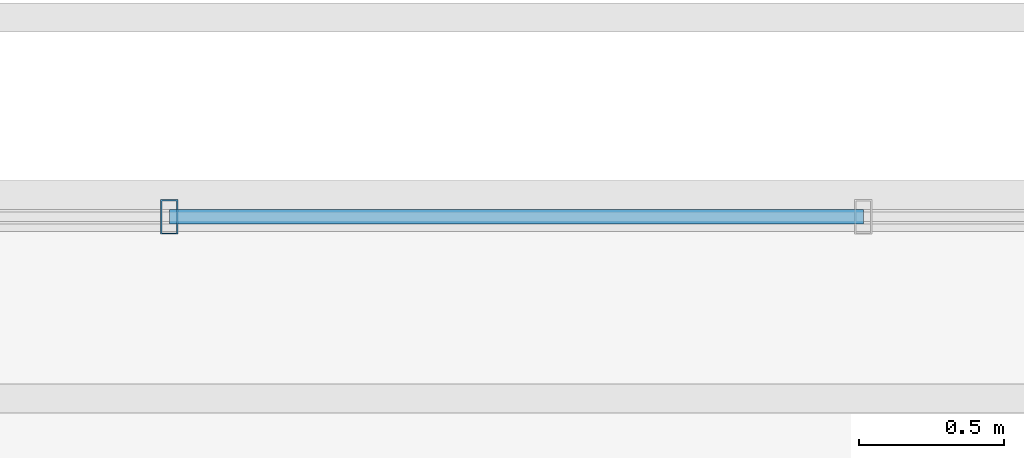
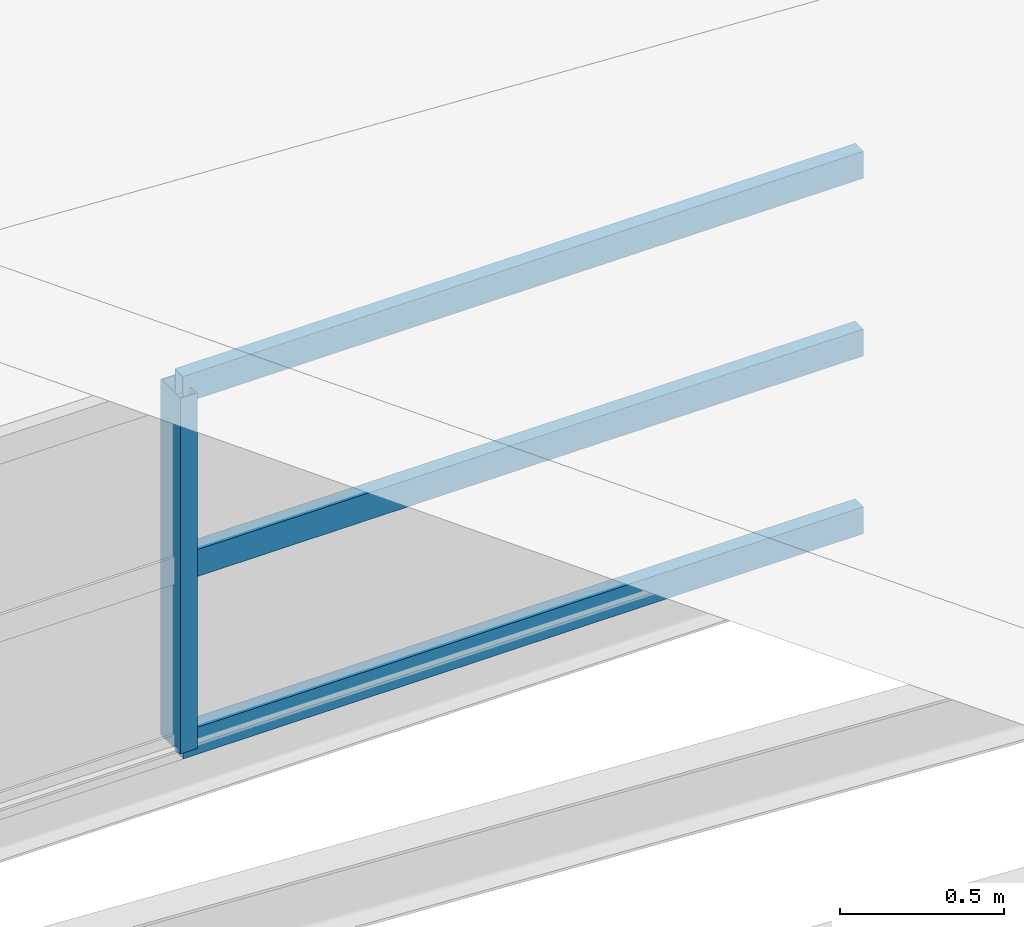
# One storey, part 116 of 141: 4 members, 1 element without a shape of its own.
"""IFC4 building model written with IfcOpenShell, lengths in metres."""

from ifc_helpers import new_model, si_unit, direction, frame, origin, origin_2d, place, context, subcontext, project, spatial, hollow_rectangle, extrude, material, material_profile, profile_set, type_object, element, aggregate, save


model = new_model("IFC4")

# Units and contexts
model_context = context("Model", 3, precision=1e-05, world=origin(), true_north=direction((0.0, 1.0)))
body_context = subcontext(model_context, "Body", "Model", "MODEL_VIEW")
ifc_project = project(units=[si_unit("LENGTHUNIT", "METRE"), si_unit("AREAUNIT", "SQUARE_METRE"), si_unit("VOLUMEUNIT", "CUBIC_METRE"), si_unit("PLANEANGLEUNIT", "RADIAN"), si_unit("MASSUNIT", "GRAM", prefix="KILO")], contexts=[model_context])

# Site, building, storey
site_placement = place(None, origin())
site = spatial("IfcSite", under=ifc_project, at=site_placement, CompositionType="ELEMENT")
building_placement = place(site_placement, origin())
building = spatial("IfcBuilding", under=site, at=building_placement, Name="Sundkrona Museum", CompositionType="ELEMENT")
storey_placement = place(building_placement, frame((0.0, 0.0, 34.0)))
storey = spatial("IfcBuildingStorey", under=building, at=storey_placement, Name="RF", CompositionType="ELEMENT", Elevation=34.0)

# Curtain wall, members
ifc_material_1 = material(Name="Unitised Aluminium-Steel and Ceramic-Clad Curtain Walling", Category="steel")
curtain_wall_type = type_object("IfcCurtainWallType", Name="CW-SW-240x13", PredefinedType="NOTDEFINED", material=ifc_material_1)
curtain_wall_placement = place(storey_placement, origin())
curtain_wall = element("IfcCurtainWall", 1, at=curtain_wall_placement, inside=storey, type_object=curtain_wall_type, Name="Sawtooth Bay 6 East North-Light Clerestory", PredefinedType="NOTDEFINED")
ifc_material_2 = material(Name="Aluminium EN AW-6060 T66", Category="aluminium")
ifc_material_profile_1 = material_profile(ifc_material_2, hollow_rectangle(XDim=0.06005859375, YDim=0.1201171875, WallThickness=0.0048828125, at=origin_2d()), Name="RHS 120x60x5.0")
ifc_profile_set_1 = profile_set([ifc_material_profile_1], Name="Aluminium EN AW-6060 T66")
member_type_1 = type_object("IfcMemberType", Name="ML-120", PredefinedType="MULLION", material=ifc_profile_set_1)
member_1_placement = place(storey_placement, frame((156.0, 42.699951171875, 4.31298828125), z_axis=(0.0, 0.0, 1.0), x_axis=(1.0, 0.0, 0.0)))
member_1 = element("IfcMember", 2, at=member_1_placement, type_object=member_type_1, Name="CW-RF-SAW-06E Mullion 06", PredefinedType="MULLION", context=body_context, shape_type="SweptSolid", body=[
    extrude(hollow_rectangle(XDim=0.06005859375, YDim=0.1201171875, WallThickness=0.0048828125, at=origin_2d()), origin(), (0.0, 0.0, 1.0), 1.320068359375),
])
ifc_material_profile_2 = material_profile(ifc_material_2, hollow_rectangle(XDim=0.050048828125, YDim=0.10009765625, WallThickness=0.0048828125, at=origin_2d()), Name="RHS 100x50x5.0")
ifc_profile_set_2 = profile_set([ifc_material_profile_2], Name="Aluminium EN AW-6060 T66")
member_type_2 = type_object("IfcMemberType", Name="TR-100", PredefinedType="USERDEFINED", material=ifc_profile_set_2)
member_2_placement = place(storey_placement, frame((156.0, 42.699951171875, 4.31298828125), z_axis=(1.0, 0.0, 0.0), x_axis=(0.0, 1.0, 0.0)))
member_2 = element("IfcMember", 3, at=member_2_placement, type_object=member_type_2, Name="CW-RF-SAW-06E Transom 16", ObjectType="TRANSOM", PredefinedType="USERDEFINED", context=body_context, shape_type="SweptSolid", body=[
    extrude(hollow_rectangle(XDim=0.050048828125, YDim=0.10009765625, WallThickness=0.0048828125, at=origin_2d()), origin(), (0.0, 0.0, 1.0), 2.389892578125),
])
member_3_placement = place(storey_placement, frame((156.0, 42.699951171875, 4.972900390625), z_axis=(1.0, 0.0, 0.0), x_axis=(0.0, 1.0, 0.0)))
member_3 = element("IfcMember", 4, at=member_3_placement, type_object=member_type_2, Name="CW-RF-SAW-06E Transom 17", ObjectType="TRANSOM", PredefinedType="USERDEFINED", context=body_context, shape_type="SweptSolid", body=[
    extrude(hollow_rectangle(XDim=0.050048828125, YDim=0.10009765625, WallThickness=0.0048828125, at=origin_2d()), origin(), (0.0, 0.0, 1.0), 2.389892578125),
])
member_4_placement = place(storey_placement, frame((156.0, 42.699951171875, 5.633056640625), z_axis=(1.0, 0.0, 0.0), x_axis=(0.0, 1.0, 0.0)))
member_4 = element("IfcMember", 5, at=member_4_placement, type_object=member_type_2, Name="CW-RF-SAW-06E Transom 18", ObjectType="TRANSOM", PredefinedType="USERDEFINED", context=body_context, shape_type="SweptSolid", body=[
    extrude(hollow_rectangle(XDim=0.050048828125, YDim=0.10009765625, WallThickness=0.0048828125, at=origin_2d()), origin(), (0.0, 0.0, 1.0), 2.389892578125),
])
aggregate(curtain_wall, [member_1, member_2, member_3, member_4])

save(model, "model.ifc")
